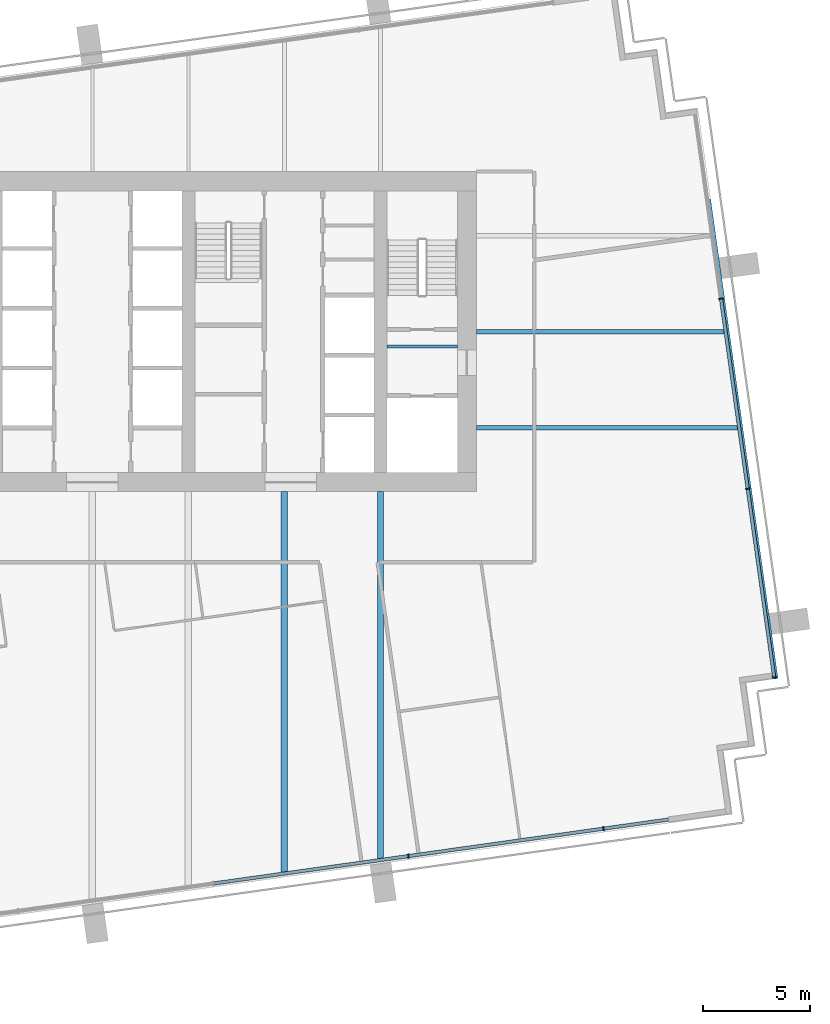
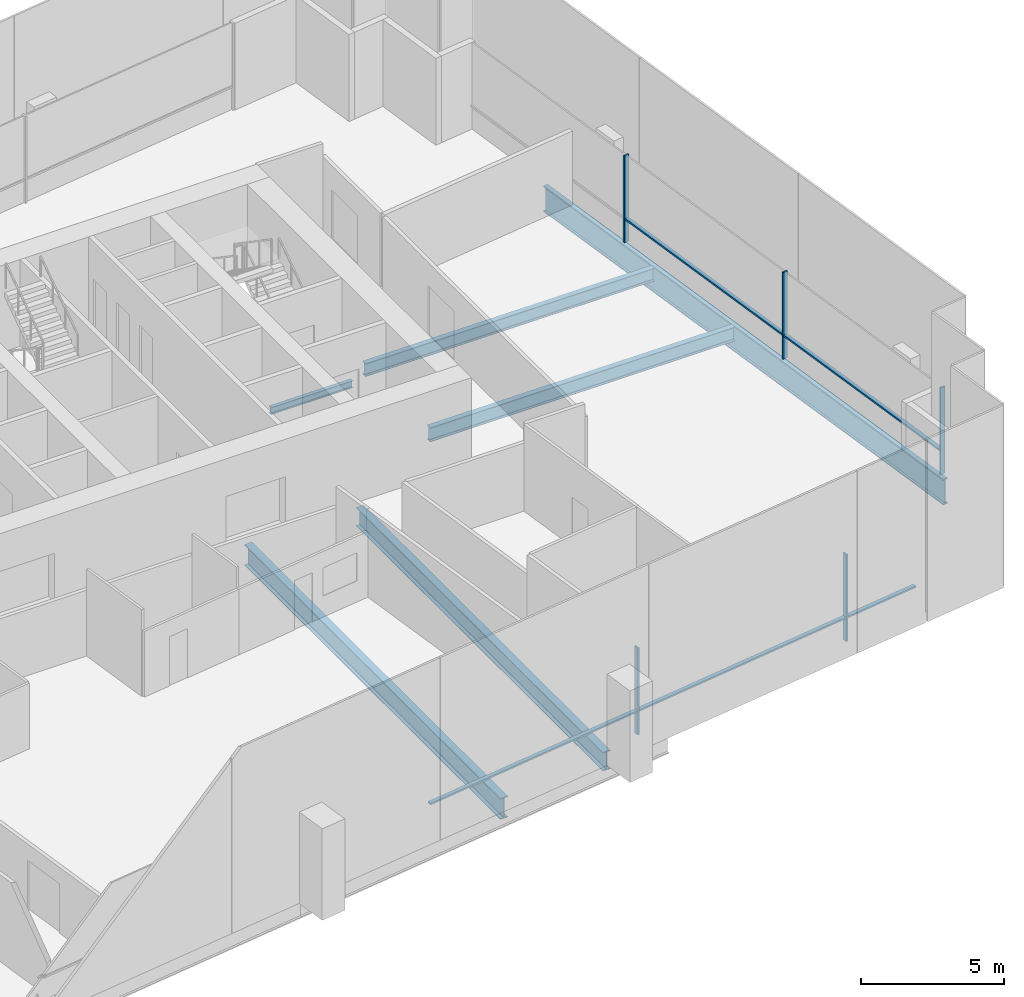
# One storey, part 5 of 17: 10 members, 6 beams, 2 elements without a shape of their own.
"""IFC4 building model written with IfcOpenShell, lengths in metres."""

from ifc_helpers import new_model, si_unit, direction, frame, origin, origin_2d, place, context, subcontext, project, spatial, rectangle, i_section, extrude, material, layer, layer_set, material_profile, profile_set, type_object, element, aggregate, save


model = new_model("IFC4")

# Units and contexts
model_context = context("Model", 3, precision=1e-05, world=origin(), true_north=direction((0.0, 1.0)))
body_context = subcontext(model_context, "Body", "Model", "MODEL_VIEW")
ifc_project = project(units=[si_unit("LENGTHUNIT", "METRE"), si_unit("AREAUNIT", "SQUARE_METRE"), si_unit("VOLUMEUNIT", "CUBIC_METRE"), si_unit("PLANEANGLEUNIT", "RADIAN"), si_unit("MASSUNIT", "GRAM", prefix="KILO")], contexts=[model_context])

# Site, building, storey
site_placement = place(None, origin())
site = spatial("IfcSite", under=ifc_project, at=site_placement, CompositionType="ELEMENT")
building_placement = place(site_placement, origin())
building = spatial("IfcBuilding", under=site, at=building_placement, Name="Rattan Terrace Tower", CompositionType="ELEMENT")
storey_placement = place(building_placement, frame((0.0, 0.0, 213.5)))
storey = spatial("IfcBuildingStorey", under=building, at=storey_placement, Name="L48", CompositionType="ELEMENT", Elevation=213.5)

# Beams
ifc_material_1 = material(Name="Steel S460", Category="steel")
ifc_material_profile_1 = material_profile(ifc_material_1, i_section(OverallWidth=0.179931640625, OverallDepth=1.10009765625, WebThickness=0.01611328125, FlangeThickness=0.050048828125, at=origin_2d()), Name="PG 1100x180-16-50")
ifc_profile_set_1 = profile_set([ifc_material_profile_1], Name="Steel S460")
beam_type_1 = type_object("IfcBeamType", Name="Frame edge girder PG 1100x180-16-50", PredefinedType="SPANDREL", material=ifc_profile_set_1)
beam_1_placement = place(storey_placement, frame((28.883056640625, 6.18505859375, -0.75), z_axis=(0.139138162292, -0.990272978423, 0.0), x_axis=(0.990272978423, 0.139138162292, 0.0)))
element("IfcBeam", 1, at=beam_1_placement, inside=storey, type_object=beam_type_1, Name="gdr-L48-004", PredefinedType="SPANDREL", context=body_context, shape_type="SweptSolid", body=[
    extrude(i_section(OverallWidth=0.179931640625, OverallDepth=1.10009765625, WebThickness=0.01611328125, FlangeThickness=0.050048828125, at=origin_2d()), origin(), (0.0, 0.0, 1.0), 22.66845703125),
])
ifc_material_2 = material(Name="Steel S355", Category="steel")
ifc_material_profile_2 = material_profile(ifc_material_2, i_section(OverallWidth=0.300048828125, OverallDepth=0.800048828125, WebThickness=0.017578125, FlangeThickness=0.032958984375, FilletRadius=0.030029296875, at=origin_2d()), Name="HE 800 B")
ifc_profile_set_2 = profile_set([ifc_material_profile_2], Name="Steel S355")
beam_type_2 = type_object("IfcBeamType", Name="Frame floor beam HE 800 B", PredefinedType="JOIST", material=ifc_profile_set_2)
beam_2_placement = place(storey_placement, frame((13.5, -24.72509765625, -0.60009765625), z_axis=(0.0, 1.0, 0.0), x_axis=(-1.0, 0.0, 0.0)))
element("IfcBeam", 2, at=beam_2_placement, inside=storey, type_object=beam_type_2, Name="bm-L48-008", PredefinedType="JOIST", context=body_context, shape_type="SweptSolid", body=[
    extrude(i_section(OverallWidth=0.300048828125, OverallDepth=0.800048828125, WebThickness=0.017578125, FlangeThickness=0.032958984375, FilletRadius=0.030029296875, at=origin_2d()), origin(), (0.0, 0.0, 1.0), 17.22509765625),
])
ifc_material_3 = material(Name="Steel S355", Category="steel")
ifc_material_profile_3 = material_profile(ifc_material_3, i_section(OverallWidth=0.300048828125, OverallDepth=0.89990234375, WebThickness=0.0185546875, FlangeThickness=0.034912109375, FilletRadius=0.030029296875, at=origin_2d()), Name="HE 900 B")
ifc_profile_set_3 = profile_set([ifc_material_profile_3], Name="Steel S355")
beam_type_3 = type_object("IfcBeamType", Name="Frame floor beam HE 900 B", PredefinedType="JOIST", material=ifc_profile_set_3)
beam_3_placement = place(storey_placement, frame((9.0, -25.35693359375, -0.64990234375), z_axis=(0.0, 1.0, 0.0), x_axis=(-1.0, 0.0, 0.0)))
element("IfcBeam", 3, at=beam_3_placement, inside=storey, type_object=beam_type_3, Name="bm-L48-007", PredefinedType="JOIST", context=body_context, shape_type="SweptSolid", body=[
    extrude(i_section(OverallWidth=0.300048828125, OverallDepth=0.89990234375, WebThickness=0.0185546875, FlangeThickness=0.034912109375, FilletRadius=0.030029296875, at=origin_2d()), origin(), (0.0, 0.0, 1.0), 17.85693359375),
])
ifc_material_4 = material(Name="Steel S355", Category="steel")
ifc_material_profile_4 = material_profile(ifc_material_4, i_section(OverallWidth=0.14990234375, OverallDepth=0.300048828125, WebThickness=0.007080078125, FlangeThickness=0.0107421875, FilletRadius=0.014892578125, at=origin_2d()), Name="IPE 300")
ifc_profile_set_4 = profile_set([ifc_material_profile_4], Name="Steel S355")
beam_type_4 = type_object("IfcBeamType", Name="Frame floor beam IPE 300", PredefinedType="JOIST", material=ifc_profile_set_4)
beam_4_placement = place(storey_placement, frame((13.800048828125, -0.695068359375, -0.35009765625), z_axis=(1.0, 0.0, 0.0), x_axis=(0.0, 1.0, 0.0)))
element("IfcBeam", 4, at=beam_4_placement, inside=storey, type_object=beam_type_4, Name="bm-L48-002", PredefinedType="JOIST", context=body_context, shape_type="SweptSolid", body=[
    extrude(i_section(OverallWidth=0.14990234375, OverallDepth=0.300048828125, WebThickness=0.007080078125, FlangeThickness=0.0107421875, FilletRadius=0.014892578125, at=origin_2d()), origin(), (0.0, 0.0, 1.0), 3.300048828125),
])
ifc_material_5 = material(Name="Steel S355", Category="steel")
ifc_material_profile_5 = material_profile(ifc_material_5, i_section(OverallWidth=0.2099609375, OverallDepth=0.550048828125, WebThickness=0.010986328125, FlangeThickness=0.01708984375, FilletRadius=0.02392578125, at=origin_2d()), Name="IPE 550")
ifc_profile_set_5 = profile_set([ifc_material_profile_5], Name="Steel S355")
beam_type_5 = type_object("IfcBeamType", Name="Frame floor beam IPE 550", PredefinedType="JOIST", material=ifc_profile_set_5)
beam_5_placement = place(storey_placement, frame((18.0, 0.0, -0.47509765625), z_axis=(1.0, 0.0, 0.0), x_axis=(0.0, 1.0, 0.0)))
element("IfcBeam", 5, at=beam_5_placement, inside=storey, type_object=beam_type_5, Name="bm-L48-012", PredefinedType="JOIST", context=body_context, shape_type="SweptSolid", body=[
    extrude(i_section(OverallWidth=0.2099609375, OverallDepth=0.550048828125, WebThickness=0.010986328125, FlangeThickness=0.01708984375, FilletRadius=0.02392578125, at=origin_2d()), origin(), (0.0, 0.0, 1.0), 11.64599609375),
])
ifc_material_6 = material(Name="Steel S355", Category="steel")
ifc_material_profile_6 = material_profile(ifc_material_6, i_section(OverallWidth=0.219970703125, OverallDepth=0.60009765625, WebThickness=0.011962890625, FlangeThickness=0.01904296875, FilletRadius=0.02392578125, at=origin_2d()), Name="IPE 600")
ifc_profile_set_6 = profile_set([ifc_material_profile_6], Name="Steel S355")
beam_type_6 = type_object("IfcBeamType", Name="Frame floor beam IPE 600", PredefinedType="JOIST", material=ifc_profile_set_6)
beam_6_placement = place(storey_placement, frame((18.0, -4.5, -0.5), z_axis=(1.0, 0.0, 0.0), x_axis=(0.0, 1.0, 0.0)))
element("IfcBeam", 6, at=beam_6_placement, inside=storey, type_object=beam_type_6, Name="bm-L48-010", PredefinedType="JOIST", context=body_context, shape_type="SweptSolid", body=[
    extrude(i_section(OverallWidth=0.219970703125, OverallDepth=0.60009765625, WebThickness=0.011962890625, FlangeThickness=0.01904296875, FilletRadius=0.02392578125, at=origin_2d()), origin(), (0.0, 0.0, 1.0), 12.278076171875),
])

# Curtain wall, members
ifc_material_7 = material(Name="Aluminium and laminated glass", Category="aluminium")
ifc_layer = layer(ifc_material_7, 0.199951171875)
ifc_layer_set = layer_set([ifc_layer], Name="High-Zone Unitised Curtain Wall")
curtain_wall_type = type_object("IfcCurtainWallType", Name="High-Zone Unitised Curtain Wall", PredefinedType="NOTDEFINED", material=ifc_layer_set)
curtain_wall_1_placement = place(storey_placement, origin())
curtain_wall_1 = element("IfcCurtainWall", 7, at=curtain_wall_1_placement, inside=storey, type_object=curtain_wall_type, Name="High-zone curtain wall L48-1", PredefinedType="NOTDEFINED")
ifc_material_8 = material(Name="Aluminium", Category="aluminium")
ifc_material_profile_7 = material_profile(ifc_material_8, rectangle(XDim=0.070068359375, YDim=0.199951171875, at=origin_2d()), Name="Aluminium 70x200")
ifc_profile_set_7 = profile_set([ifc_material_profile_7], Name="Aluminium")
member_type_1 = type_object("IfcMemberType", Name="High-Zone CW Mullion 70x200", PredefinedType="MULLION", material=ifc_profile_set_7)
member_1_placement = place(storey_placement, frame((31.946533203125, -16.1943359375, 0.0), z_axis=(0.0, 0.0, 1.0), x_axis=(-0.139186165309, 0.990266232579, 0.0)))
member_1 = element("IfcMember", 8, at=member_1_placement, type_object=member_type_1, Name="Mullion cwl-L48-001.1", PredefinedType="MULLION", context=body_context, shape_type="SweptSolid", body=[
    extrude(rectangle(XDim=0.070068359375, YDim=0.199951171875, at=origin_2d()), origin(), (0.0, 0.0, 1.0), 3.699951171875),
])
member_2_placement = place(storey_placement, frame((30.705078125, -7.361328125, 0.0), z_axis=(0.0, 0.0, 1.0), x_axis=(-0.139186165309, 0.990266232579, 0.0)))
member_2 = element("IfcMember", 9, at=member_2_placement, type_object=member_type_1, Name="Mullion cwl-L48-001.2", PredefinedType="MULLION", context=body_context, shape_type="SweptSolid", body=[
    extrude(rectangle(XDim=0.070068359375, YDim=0.199951171875, at=origin_2d()), origin(), (0.0, 0.0, 1.0), 3.699951171875),
])
member_3_placement = place(storey_placement, frame((29.452392578125, 1.551025390625, 0.0), z_axis=(0.0, 0.0, 1.0), x_axis=(-0.139186165309, 0.990266232579, 0.0)))
member_3 = element("IfcMember", 10, at=member_3_placement, type_object=member_type_1, Name="Mullion cwl-L48-001.3", PredefinedType="MULLION", context=body_context, shape_type="SweptSolid", body=[
    extrude(rectangle(XDim=0.070068359375, YDim=0.199951171875, at=origin_2d()), origin(), (0.0, 0.0, 1.0), 3.699951171875),
])

curtain_wall_2_placement = place(storey_placement, origin())
curtain_wall_2 = element("IfcCurtainWall", 11, at=curtain_wall_2_placement, inside=storey, type_object=curtain_wall_type, Name="High-zone curtain wall L48-4", PredefinedType="NOTDEFINED")
member_4_placement = place(storey_placement, frame((14.808837890625, -24.571533203125, 0.0), z_axis=(0.0, 0.0, 1.0), x_axis=(0.990267457022, 0.139177453499, 0.0)))
member_4 = element("IfcMember", 12, at=member_4_placement, type_object=member_type_1, Name="Mullion cwl-L48-004.4", PredefinedType="MULLION", context=body_context, shape_type="SweptSolid", body=[
    extrude(rectangle(XDim=0.070068359375, YDim=0.199951171875, at=origin_2d()), origin(), (0.0, 0.0, 1.0), 3.699951171875),
])
member_5_placement = place(storey_placement, frame((23.949951171875, -23.28662109375, 0.0), z_axis=(0.0, 0.0, 1.0), x_axis=(0.990267457022, 0.139177453499, 0.0)))
member_5 = element("IfcMember", 13, at=member_5_placement, type_object=member_type_1, Name="Mullion cwl-L48-004.5", PredefinedType="MULLION", context=body_context, shape_type="SweptSolid", body=[
    extrude(rectangle(XDim=0.070068359375, YDim=0.199951171875, at=origin_2d()), origin(), (0.0, 0.0, 1.0), 3.699951171875),
])

# Member
ifc_material_9 = material(Name="Aluminium", Category="aluminium")
ifc_material_profile_8 = material_profile(ifc_material_9, rectangle(XDim=0.159912109375, YDim=0.070068359375, at=origin_2d()), Name="Aluminium 160x70")
ifc_profile_set_8 = profile_set([ifc_material_profile_8], Name="Aluminium")
member_type_2 = type_object("IfcMemberType", Name="High-Zone CW Transom 160x70", PredefinedType="USERDEFINED", material=ifc_profile_set_8)
member_6_placement = place(storey_placement, frame((31.941650390625, -16.159912109375, 1.0), z_axis=(-0.139173253985, 0.990268047235, 0.0), x_axis=(-0.990268047235, -0.139173253985, 0.0)))
member_6 = element("IfcMember", 14, at=member_6_placement, type_object=member_type_2, Name="Transom cwl-L48-001.1", ObjectType="TRANSOM", PredefinedType="USERDEFINED", context=body_context, shape_type="SweptSolid", body=[
    extrude(rectangle(XDim=0.159912109375, YDim=0.070068359375, at=origin_2d()), origin(), (0.0, 0.0, 1.0), 8.85009765625),
])

member_7_placement = place(storey_placement, frame((30.7001953125, -7.32666015625, 1.0), z_axis=(-0.139185713085, 0.990266296141, 0.0), x_axis=(-0.990266296141, -0.139185713085, 0.0)))
member_7 = element("IfcMember", 15, at=member_7_placement, type_object=member_type_2, Name="Transom cwl-L48-001.2", ObjectType="TRANSOM", PredefinedType="USERDEFINED", context=body_context, shape_type="SweptSolid", body=[
    extrude(rectangle(XDim=0.159912109375, YDim=0.070068359375, at=origin_2d()), origin(), (0.0, 0.0, 1.0), 8.929931640625),
])

aggregate(curtain_wall_1, [member_1, member_2, member_3, member_6, member_7])

member_8_placement = place(storey_placement, frame((5.702392578125, -25.851318359375, 1.0), z_axis=(0.990265190222, 0.139193581154, 0.0), x_axis=(-0.139193581154, 0.990265190222, 0.0)))
member_8 = element("IfcMember", 16, at=member_8_placement, type_object=member_type_2, Name="Transom cwl-L48-004.3", ObjectType="TRANSOM", PredefinedType="USERDEFINED", context=body_context, shape_type="SweptSolid", body=[
    extrude(rectangle(XDim=0.159912109375, YDim=0.070068359375, at=origin_2d()), origin(), (0.0, 0.0, 1.0), 9.160888671875),
])

member_9_placement = place(storey_placement, frame((14.843505859375, -24.566650390625, 1.0), z_axis=(0.990265190222, 0.139193581154, 0.0), x_axis=(-0.139193581154, 0.990265190222, 0.0)))
member_9 = element("IfcMember", 17, at=member_9_placement, type_object=member_type_2, Name="Transom cwl-L48-004.4", ObjectType="TRANSOM", PredefinedType="USERDEFINED", context=body_context, shape_type="SweptSolid", body=[
    extrude(rectangle(XDim=0.159912109375, YDim=0.070068359375, at=origin_2d()), origin(), (0.0, 0.0, 1.0), 9.160888671875),
])

member_10_placement = place(storey_placement, frame((23.984619140625, -23.28173828125, 1.0), z_axis=(0.990269723995, 0.139161322712, 0.0), x_axis=(-0.139161322712, 0.990269723995, 0.0)))
member_10 = element("IfcMember", 18, at=member_10_placement, type_object=member_type_2, Name="Transom cwl-L48-004.5", ObjectType="TRANSOM", PredefinedType="USERDEFINED", context=body_context, shape_type="SweptSolid", body=[
    extrude(rectangle(XDim=0.159912109375, YDim=0.070068359375, at=origin_2d()), origin(), (0.0, 0.0, 1.0), 3.040283203125),
])

aggregate(curtain_wall_2, [member_4, member_5, member_8, member_9, member_10])

save(model, "model.ifc")
